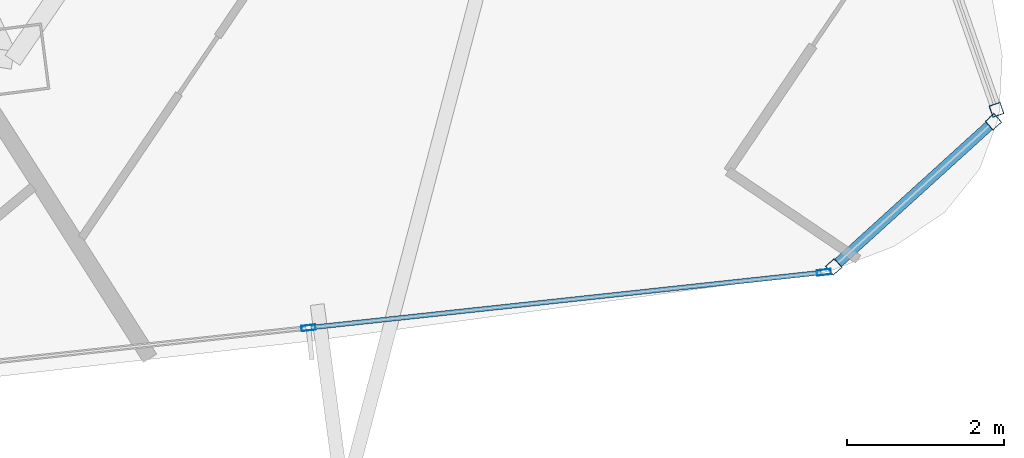
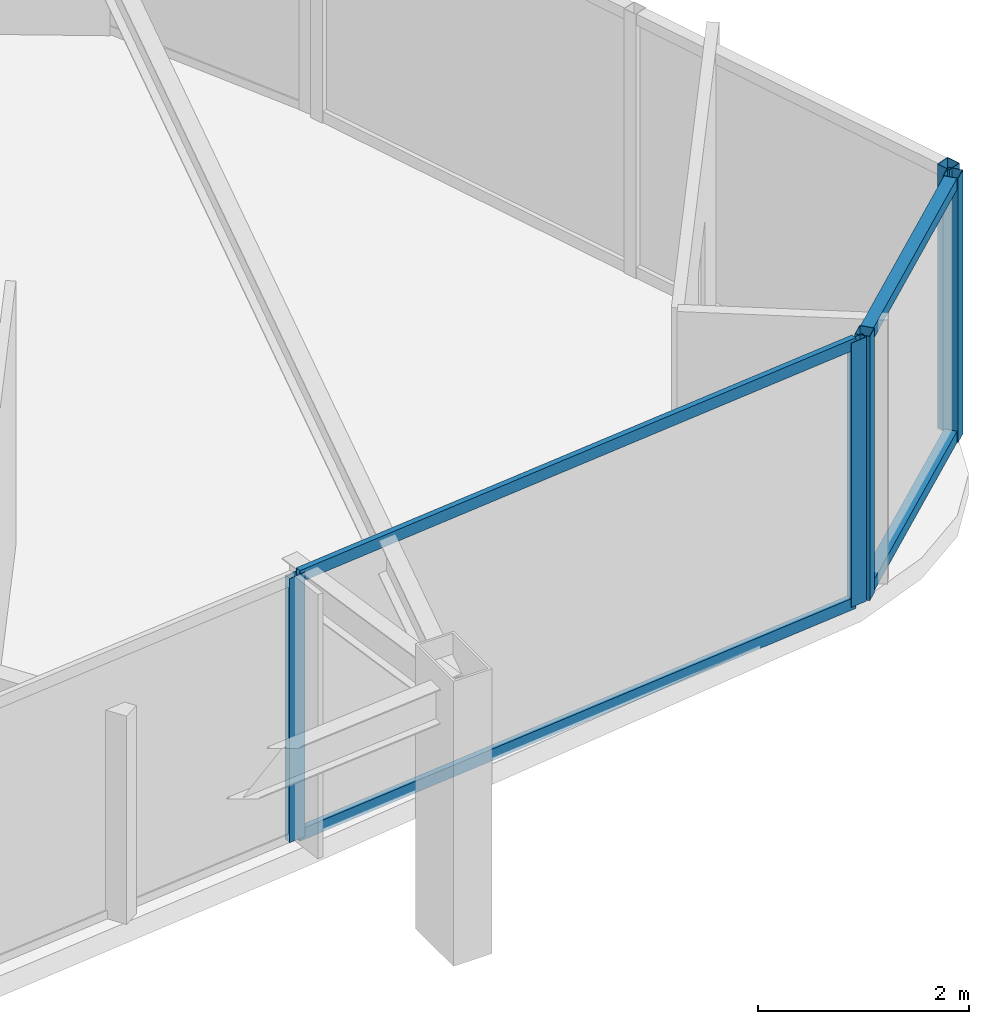
# One storey, part 16 of 38: 9 members, 3 elements without a shape of their own.
"""IFC4 building model written with IfcOpenShell, lengths in metres."""

from ifc_helpers import new_model, si_unit, direction, frame, origin, origin_2d, place, context, subcontext, project, spatial, hollow_rectangle, extrude, material, layer, layer_set, material_profile, profile_set, type_object, element, aggregate, save


model = new_model("IFC4")

# Units and contexts
model_context = context("Model", 3, precision=1e-05, world=origin(), true_north=direction((0.0, 1.0)))
body_context = subcontext(model_context, "Body", "Model", "MODEL_VIEW")
ifc_project = project(units=[si_unit("LENGTHUNIT", "METRE"), si_unit("AREAUNIT", "SQUARE_METRE"), si_unit("VOLUMEUNIT", "CUBIC_METRE"), si_unit("PLANEANGLEUNIT", "RADIAN"), si_unit("MASSUNIT", "GRAM", prefix="KILO")], contexts=[model_context])

# Site, building, storey
site_placement = place(None, origin())
site = spatial("IfcSite", under=ifc_project, at=site_placement, CompositionType="ELEMENT")
building_placement = place(site_placement, origin())
building = spatial("IfcBuilding", under=site, at=building_placement, Name="Orvanel Arch Residences", CompositionType="ELEMENT")
storey_placement = place(building_placement, frame((0.0, 0.0, 43.39990234375)))
storey = spatial("IfcBuildingStorey", under=building, at=storey_placement, Name="L11", CompositionType="ELEMENT", Elevation=43.39990234375)

# Curtain wall, members
ifc_material = material(Name="Bronze-anodised aluminium AA6063-T6", Category="aluminium")
ifc_layer_1 = layer(ifc_material, 0.18994140625)
ifc_layer_set_1 = layer_set([ifc_layer_1], Name="Bronze-anodised aluminium AA6063-T6")
curtain_wall_type_1 = type_object("IfcCurtainWallType", Name="CW5-CRN-SYS", PredefinedType="NOTDEFINED", material=ifc_layer_set_1)
curtain_wall_1_placement = place(storey_placement, origin())
curtain_wall_1 = element("IfcCurtainWall", 1, at=curtain_wall_1_placement, inside=storey, type_object=curtain_wall_type_1, Name="L11 CW5-CRN-SYS Unitised Curtain Wall", PredefinedType="NOTDEFINED")
ifc_material_profile_1 = material_profile(ifc_material, hollow_rectangle(XDim=0.14990234375, YDim=0.14990234375, WallThickness=0.0048828125, at=origin_2d()), Name="ALU150x150x5")
ifc_profile_set_1 = profile_set([ifc_material_profile_1], Name="Bronze-anodised aluminium AA6063-T6")
member_type_1 = type_object("IfcMemberType", Name="MUL-150x150", PredefinedType="MULLION", material=ifc_profile_set_1)
member_1_placement = place(storey_placement, frame((59.515625, 3.70849609375, 0.0), z_axis=(0.0, 0.0, 1.0), x_axis=(-0.672294791472, 0.740283535788, 0.0)))
member_1 = element("IfcMember", 2, at=member_1_placement, type_object=member_type_1, Name="CW-S5 mullion 1", PredefinedType="MULLION", context=body_context, shape_type="SweptSolid", body=[
    extrude(hollow_rectangle(XDim=0.14990234375, YDim=0.14990234375, WallThickness=0.0048828125, at=origin_2d()), origin(), (0.0, 0.0, 1.0), 3.06005859375),
])
member_2_placement = place(storey_placement, frame((61.549560546875, 5.5556640625, 0.0), z_axis=(0.0, 0.0, 1.0), x_axis=(-0.672294791472, 0.740283535788, 0.0)))
member_2 = element("IfcMember", 3, at=member_2_placement, type_object=member_type_1, Name="CW-S5 mullion 2", PredefinedType="MULLION", context=body_context, shape_type="SweptSolid", body=[
    extrude(hollow_rectangle(XDim=0.14990234375, YDim=0.14990234375, WallThickness=0.0048828125, at=origin_2d()), origin(), (0.0, 0.0, 1.0), 3.06005859375),
])

# Curtain wall, member
curtain_wall_2_placement = place(storey_placement, origin())
curtain_wall_2 = element("IfcCurtainWall", 4, at=curtain_wall_2_placement, inside=storey, type_object=curtain_wall_type_1, Name="L11 CW5-CRN-SYS Unitised Curtain Wall", PredefinedType="NOTDEFINED")
member_3_placement = place(storey_placement, frame((61.58837890625, 5.708740234375, 0.0), z_axis=(0.0, 0.0, 1.0), x_axis=(-0.944601133748, -0.328220502288, 0.0)))
member_3 = element("IfcMember", 5, at=member_3_placement, type_object=member_type_1, Name="CW-S5 mullion 1", PredefinedType="MULLION", context=body_context, shape_type="SweptSolid", body=[
    extrude(hollow_rectangle(XDim=0.14990234375, YDim=0.14990234375, WallThickness=0.0048828125, at=origin_2d()), origin(), (0.0, 0.0, 1.0), 3.06005859375),
])
aggregate(curtain_wall_2, [member_3])

# Curtain wall, members
ifc_layer_2 = layer(ifc_material, 0.179931640625)
ifc_layer_set_2 = layer_set([ifc_layer_2], Name="Bronze-anodised aluminium AA6063-T6")
curtain_wall_type_2 = type_object("IfcCurtainWallType", Name="CW2-LOW-SYS", PredefinedType="NOTDEFINED", material=ifc_layer_set_2)
curtain_wall_3_placement = place(storey_placement, origin())
curtain_wall_3 = element("IfcCurtainWall", 6, at=curtain_wall_3_placement, inside=storey, type_object=curtain_wall_type_2, Name="L11 CW2-LOW-SYS Unitised Curtain Wall", PredefinedType="NOTDEFINED")
ifc_material_profile_2 = material_profile(ifc_material, hollow_rectangle(XDim=0.070068359375, YDim=0.179931640625, WallThickness=0.00439453125, at=origin_2d()), Name="ALU180x70x4.5")
ifc_profile_set_2 = profile_set([ifc_material_profile_2], Name="Bronze-anodised aluminium AA6063-T6")
member_type_2 = type_object("IfcMemberType", Name="MUL-180x70", PredefinedType="MULLION", material=ifc_profile_set_2)
member_4_placement = place(storey_placement, frame((52.826904296875, 2.931884765625, 0.0), z_axis=(0.0, 0.0, 1.0), x_axis=(-0.107139659052, 0.994243980851, 0.0)))
member_4 = element("IfcMember", 7, at=member_4_placement, type_object=member_type_2, Name="CW-S2 mullion 3", PredefinedType="MULLION", context=body_context, shape_type="SweptSolid", body=[
    extrude(hollow_rectangle(XDim=0.070068359375, YDim=0.179931640625, WallThickness=0.00439453125, at=origin_2d()), origin(), (0.0, 0.0, 1.0), 3.06005859375),
])
member_5_placement = place(storey_placement, frame((59.39013671875, 3.63916015625, 0.0), z_axis=(0.0, 0.0, 1.0), x_axis=(-0.107139659052, 0.994243980851, 0.0)))
member_5 = element("IfcMember", 8, at=member_5_placement, type_object=member_type_2, Name="CW-S2 mullion 4", PredefinedType="MULLION", context=body_context, shape_type="SweptSolid", body=[
    extrude(hollow_rectangle(XDim=0.070068359375, YDim=0.179931640625, WallThickness=0.00439453125, at=origin_2d()), origin(), (0.0, 0.0, 1.0), 3.06005859375),
])

# Member
ifc_material_profile_3 = material_profile(ifc_material, hollow_rectangle(XDim=0.1298828125, YDim=0.1298828125, WallThickness=0.00439453125, at=origin_2d()), Name="ALU130x130x4.5")
ifc_profile_set_3 = profile_set([ifc_material_profile_3], Name="Bronze-anodised aluminium AA6063-T6")
member_type_3 = type_object("IfcMemberType", Name="TRN-130x130", PredefinedType="USERDEFINED", material=ifc_profile_set_3)
member_6_placement = place(storey_placement, frame((59.571044921875, 3.7587890625, 0.065185546875), z_axis=(0.740267463166, 0.672312489084, 0.0), x_axis=(-0.672312489084, 0.740267463166, 0.0)))
member_6 = element("IfcMember", 9, at=member_6_placement, type_object=member_type_3, Name="CW-S5 transom 1.1", ObjectType="TRANSOM", PredefinedType="USERDEFINED", context=body_context, shape_type="SweptSolid", body=[
    extrude(hollow_rectangle(XDim=0.1298828125, YDim=0.1298828125, WallThickness=0.00439453125, at=origin_2d()), origin(), (0.0, 0.0, 1.0), 2.597412109375),
])

member_7_placement = place(storey_placement, frame((59.571044921875, 3.7587890625, 2.9951171875), z_axis=(0.740267463166, 0.672312489084, 0.0), x_axis=(-0.672312489084, 0.740267463166, 0.0)))
member_7 = element("IfcMember", 10, at=member_7_placement, type_object=member_type_3, Name="CW-S5 transom 1.2", ObjectType="TRANSOM", PredefinedType="USERDEFINED", context=body_context, shape_type="SweptSolid", body=[
    extrude(hollow_rectangle(XDim=0.1298828125, YDim=0.1298828125, WallThickness=0.00439453125, at=origin_2d()), origin(), (0.0, 0.0, 1.0), 2.597412109375),
])

aggregate(curtain_wall_1, [member_1, member_2, member_6, member_7])

ifc_material_profile_4 = material_profile(ifc_material, hollow_rectangle(XDim=0.06005859375, YDim=0.135009765625, WallThickness=0.00390625, at=origin_2d()), Name="ALU135x60x4")
ifc_profile_set_4 = profile_set([ifc_material_profile_4], Name="Bronze-anodised aluminium AA6063-T6")
member_type_4 = type_object("IfcMemberType", Name="TRN-135x60", PredefinedType="USERDEFINED", material=ifc_profile_set_4)
member_8_placement = place(storey_placement, frame((52.86181640625, 2.935791015625, 0.030029296875), z_axis=(0.994244771406, 0.107132322537, 0.0), x_axis=(-0.107132322537, 0.994244771406, 0.0)))
member_8 = element("IfcMember", 11, at=member_8_placement, type_object=member_type_4, Name="CW-S2 transom 3.1", ObjectType="TRANSOM", PredefinedType="USERDEFINED", context=body_context, shape_type="SweptSolid", body=[
    extrude(hollow_rectangle(XDim=0.06005859375, YDim=0.135009765625, WallThickness=0.00390625, at=origin_2d()), origin(), (0.0, 0.0, 1.0), 6.53125),
])

member_9_placement = place(storey_placement, frame((52.86181640625, 2.935791015625, 3.030029296875), z_axis=(0.994244771406, 0.107132322537, 0.0), x_axis=(-0.107132322537, 0.994244771406, 0.0)))
member_9 = element("IfcMember", 12, at=member_9_placement, type_object=member_type_4, Name="CW-S2 transom 3.2", ObjectType="TRANSOM", PredefinedType="USERDEFINED", context=body_context, shape_type="SweptSolid", body=[
    extrude(hollow_rectangle(XDim=0.06005859375, YDim=0.135009765625, WallThickness=0.00390625, at=origin_2d()), origin(), (0.0, 0.0, 1.0), 6.53125),
])

aggregate(curtain_wall_3, [member_4, member_5, member_8, member_9])

save(model, "model.ifc")
